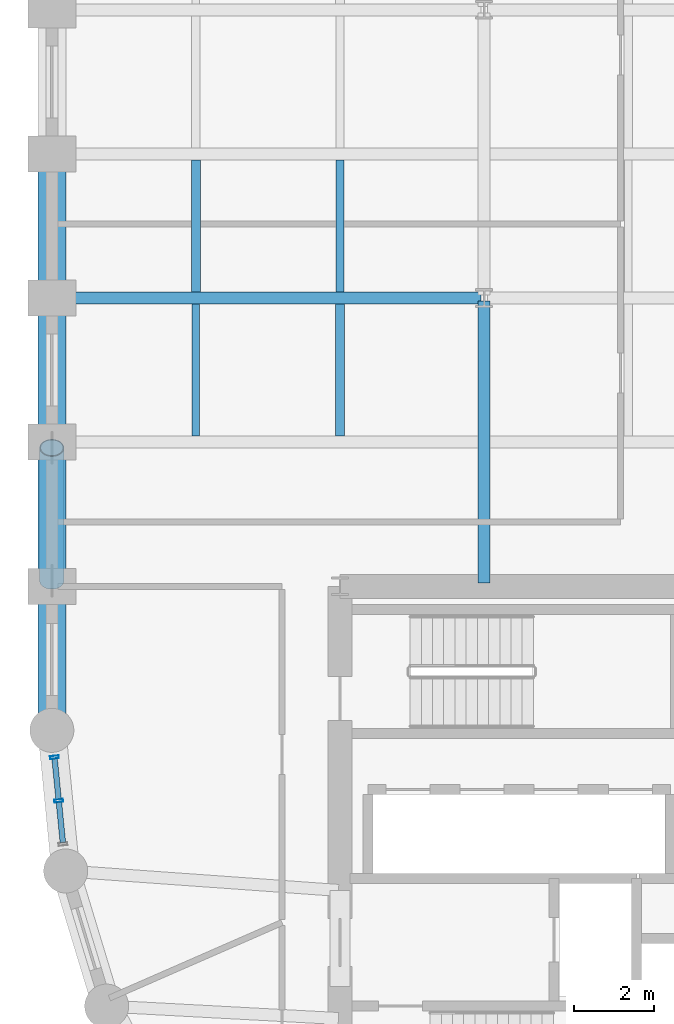
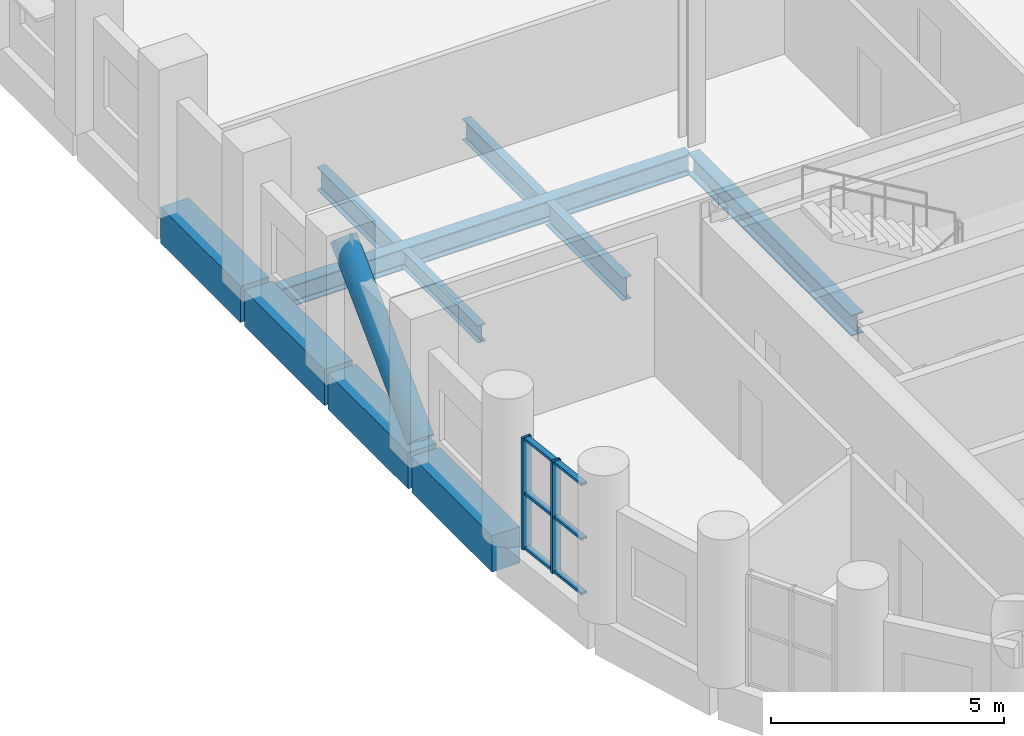
# One storey, part 5 of 13: 10 beams, 9 members, 1 element without a shape of its own.
"""IFC4 building model written with IfcOpenShell, lengths in metres."""

from ifc_helpers import new_model, si_unit, direction, frame, origin, origin_2d, place, context, subcontext, project, spatial, rectangle, hollow_rectangle, hollow_circle, i_section, extrude, material, layer, layer_set, material_profile, profile_set, type_object, element, aggregate, save


model = new_model("IFC4")

# Units and contexts
model_context = context("Model", 3, precision=1e-05, world=origin(), true_north=direction((0.0, 1.0)))
body_context = subcontext(model_context, "Body", "Model", "MODEL_VIEW")
ifc_project = project(units=[si_unit("LENGTHUNIT", "METRE"), si_unit("AREAUNIT", "SQUARE_METRE"), si_unit("VOLUMEUNIT", "CUBIC_METRE"), si_unit("PLANEANGLEUNIT", "RADIAN"), si_unit("MASSUNIT", "GRAM", prefix="KILO")], contexts=[model_context])

# Site, building, storey
site_placement = place(None, origin())
site = spatial("IfcSite", under=ifc_project, at=site_placement, CompositionType="ELEMENT")
building_placement = place(site_placement, origin())
building = spatial("IfcBuilding", under=site, at=building_placement, Name="Solnavia Interchange Tower", CompositionType="ELEMENT")
storey_placement = place(building_placement, frame((0.0, 0.0, 39.60009765625)))
storey = spatial("IfcBuildingStorey", under=building, at=storey_placement, Name="L09", CompositionType="ELEMENT", Elevation=39.60009765625)

# Beams
ifc_material_1 = material(Name="Steel S460", Category="steel")
ifc_material_profile_1 = material_profile(ifc_material_1, i_section(OverallWidth=0.300048828125, OverallDepth=0.550048828125, WebThickness=0.014892578125, FlangeThickness=0.029052734375, FilletRadius=0.027099609375, at=origin_2d()), Name="HEB 550")
ifc_profile_set_1 = profile_set([ifc_material_profile_1], Name="Steel S460")
beam_type_1 = type_object("IfcBeamType", Name="Beam-Girder-HEB550", PredefinedType="BEAM", material=ifc_profile_set_1)
beam_1_placement = place(storey_placement, frame((18.0, 25.280029296875, -0.525146484375), z_axis=(0.0, 1.0, 0.0), x_axis=(-1.0, 0.0, 0.0)))
element("IfcBeam", 1, at=beam_1_placement, inside=storey, type_object=beam_type_1, Name="GRD-L09-NS12 North wing spine girder", PredefinedType="BEAM", context=body_context, shape_type="SweptSolid", body=[
    extrude(i_section(OverallWidth=0.300048828125, OverallDepth=0.550048828125, WebThickness=0.014892578125, FlangeThickness=0.029052734375, FilletRadius=0.027099609375, at=origin_2d()), origin(), (0.0, 0.0, 1.0), 7.0400390625),
])
beam_2_placement = place(storey_placement, frame((7.280029296875, 32.39990234375, -0.525146484375), z_axis=(1.0, 0.0, 0.0), x_axis=(0.0, 1.0, 0.0)))
element("IfcBeam", 2, at=beam_2_placement, inside=storey, type_object=beam_type_1, Name="GRD-L09-NW16 North wing primary floor girder", PredefinedType="BEAM", context=body_context, shape_type="SweptSolid", body=[
    extrude(i_section(OverallWidth=0.300048828125, OverallDepth=0.550048828125, WebThickness=0.014892578125, FlangeThickness=0.029052734375, FilletRadius=0.027099609375, at=origin_2d()), origin(), (0.0, 0.0, 1.0), 10.639892578125),
])
ifc_material_2 = material(Name="Steel S355", Category="steel")
ifc_material_profile_2 = material_profile(ifc_material_2, i_section(OverallWidth=0.18994140625, OverallDepth=0.449951171875, WebThickness=0.009521484375, FlangeThickness=0.0146484375, FilletRadius=0.02099609375, at=origin_2d()), Name="IPE 450")
ifc_profile_set_2 = profile_set([ifc_material_profile_2], Name="Steel S355")
beam_type_2 = type_object("IfcBeamType", Name="Beam-Joist-IPE450", PredefinedType="JOIST", material=ifc_profile_set_2)
beam_3_placement = place(storey_placement, frame((10.800048828125, 28.949951171875, -0.47509765625), z_axis=(0.0, 1.0, 0.0), x_axis=(-1.0, 0.0, 0.0)))
element("IfcBeam", 3, at=beam_3_placement, inside=storey, type_object=beam_type_2, Name="JST-L09-N21 North wing secondary joist", PredefinedType="JOIST", context=body_context, shape_type="SweptSolid", body=[
    extrude(i_section(OverallWidth=0.18994140625, OverallDepth=0.449951171875, WebThickness=0.009521484375, FlangeThickness=0.0146484375, FilletRadius=0.02099609375, at=origin_2d()), origin(), (0.0, 0.0, 1.0), 3.300048828125),
])
ifc_material_profile_3 = material_profile(ifc_material_2, i_section(OverallWidth=0.2099609375, OverallDepth=0.550048828125, WebThickness=0.010986328125, FlangeThickness=0.01708984375, FilletRadius=0.02392578125, at=origin_2d()), Name="IPE 550")
ifc_profile_set_3 = profile_set([ifc_material_profile_3], Name="Steel S355")
beam_type_3 = type_object("IfcBeamType", Name="Beam-Joist-IPE550", PredefinedType="JOIST", material=ifc_profile_set_3)
beam_4_placement = place(storey_placement, frame((14.39990234375, 32.550048828125, -0.525146484375), z_axis=(0.0, 1.0, 0.0), x_axis=(-1.0, 0.0, 0.0)))
element("IfcBeam", 4, at=beam_4_placement, inside=storey, type_object=beam_type_3, Name="JST-L09-N26 North wing secondary joist", PredefinedType="JOIST", context=body_context, shape_type="SweptSolid", body=[
    extrude(i_section(OverallWidth=0.2099609375, OverallDepth=0.550048828125, WebThickness=0.010986328125, FlangeThickness=0.01708984375, FilletRadius=0.02392578125, at=origin_2d()), origin(), (0.0, 0.0, 1.0), 3.300048828125),
])
ifc_material_profile_4 = material_profile(ifc_material_2, i_section(OverallWidth=0.219970703125, OverallDepth=0.60009765625, WebThickness=0.011962890625, FlangeThickness=0.01904296875, FilletRadius=0.02392578125, at=origin_2d()), Name="IPE 600")
ifc_profile_set_4 = profile_set([ifc_material_profile_4], Name="Steel S355")
beam_type_4 = type_object("IfcBeamType", Name="Beam-Joist-IPE600", PredefinedType="JOIST", material=ifc_profile_set_4)
for number, where, z_axis, x_axis, name in (
    (5, (10.800048828125, 32.550048828125, -0.550048828125), (0.0, 1.0, 0.0), (-1.0, 0.0, 0.0), "JST-L09-N22 North wing secondary joist"),
    (6, (14.39990234375, 28.949951171875, -0.550048828125), (0.0, 1.0, 0.0), (-1.0, 0.0, 0.0), "JST-L09-N25 North wing secondary joist"),
):
    element("IfcBeam", number, at=place(storey_placement, frame(where, z_axis=z_axis, x_axis=x_axis)), inside=storey, type_object=beam_type_4, Name=name, PredefinedType="JOIST", context=body_context, shape_type="SweptSolid", body=[
        extrude(i_section(OverallWidth=0.219970703125, OverallDepth=0.60009765625, WebThickness=0.011962890625, FlangeThickness=0.01904296875, FilletRadius=0.02392578125, at=origin_2d()), origin(), (0.0, 0.0, 1.0), 3.300048828125),
    ])
ifc_material_3 = material(Name="Concrete C50/60", Category="concrete")
ifc_material_profile_5 = material_profile(ifc_material_3, rectangle(XDim=0.699951171875, YDim=0.949951171875, at=origin_2d()), Name="RC 700x950")
ifc_profile_set_5 = profile_set([ifc_material_profile_5], Name="Concrete C50/60")
beam_type_5 = type_object("IfcBeamType", Name="Beam-Spandrel-RC700x950", PredefinedType="SPANDREL", material=ifc_profile_set_5)
beam_5_placement = place(storey_placement, frame((7.199951171875, 35.919921875, -0.47509765625), z_axis=(0.0, -1.0, 0.0), x_axis=(1.0, 0.0, 0.0)))
element("IfcBeam", 7, at=beam_5_placement, inside=storey, type_object=beam_type_5, Name="SPB-L09-41 Framed-tube perimeter spandrel beam", PredefinedType="SPANDREL", context=body_context, shape_type="SweptSolid", body=[
    extrude(rectangle(XDim=0.699951171875, YDim=0.949951171875, at=origin_2d()), origin(), (0.0, 0.0, 1.0), 3.43994140625),
])
beam_6_placement = place(storey_placement, frame((7.199951171875, 32.320068359375, -0.47509765625), z_axis=(0.0, -1.0, 0.0), x_axis=(1.0, 0.0, 0.0)))
element("IfcBeam", 8, at=beam_6_placement, inside=storey, type_object=beam_type_5, Name="SPB-L09-42 Framed-tube perimeter spandrel beam", PredefinedType="SPANDREL", context=body_context, shape_type="SweptSolid", body=[
    extrude(rectangle(XDim=0.699951171875, YDim=0.949951171875, at=origin_2d()), origin(), (0.0, 0.0, 1.0), 3.440185546875),
])
beam_7_placement = place(storey_placement, frame((7.199951171875, 28.719970703125, -0.47509765625), z_axis=(0.0, -1.0, 0.0), x_axis=(1.0, 0.0, 0.0)))
element("IfcBeam", 9, at=beam_7_placement, inside=storey, type_object=beam_type_5, Name="SPB-L09-43 Framed-tube perimeter spandrel beam", PredefinedType="SPANDREL", context=body_context, shape_type="SweptSolid", body=[
    extrude(rectangle(XDim=0.699951171875, YDim=0.949951171875, at=origin_2d()), origin(), (0.0, 0.0, 1.0), 3.43994140625),
])
beam_8_placement = place(storey_placement, frame((7.199951171875, 25.1201171875, -0.47509765625), z_axis=(0.0, -1.0, 0.0), x_axis=(1.0, 0.0, 0.0)))
element("IfcBeam", 10, at=beam_8_placement, inside=storey, type_object=beam_type_5, Name="SPB-L09-44 Framed-tube perimeter spandrel beam", PredefinedType="SPANDREL", context=body_context, shape_type="SweptSolid", body=[
    extrude(rectangle(XDim=0.699951171875, YDim=0.949951171875, at=origin_2d()), origin(), (0.0, 0.0, 1.0), 3.440185546875),
])

# Member
ifc_material_profile_6 = material_profile(ifc_material_1, hollow_circle(Radius=0.304931640625, WallThickness=0.02490234375, at=origin_2d()), Name="CHS 610x25")
ifc_profile_set_6 = profile_set([ifc_material_profile_6], Name="Steel S460")
member_type_1 = type_object("IfcMemberType", Name="Brace-Perim-CHS610", PredefinedType="BRACE", material=ifc_profile_set_6)
member_1_placement = place(storey_placement, frame((7.199951171875, 25.340087890625, 0.179931640625), z_axis=(0.0, 0.710285911997, 0.703913292401), x_axis=(-1.0, 0.0, 0.0)))
element("IfcMember", 11, at=member_1_placement, inside=storey, type_object=member_type_1, Name="BRC-L09-02 Perimeter tube diagonal brace", PredefinedType="BRACE", context=body_context, shape_type="SweptSolid", body=[
    extrude(hollow_circle(Radius=0.304931640625, WallThickness=0.02490234375, at=origin_2d()), origin(), (0.0, 0.0, 1.0), 4.673828125),
])

# Curtain wall, members
ifc_material_4 = material(Name="Aluminium Alloy 6063-T6", Category="aluminium")
ifc_layer = layer(ifc_material_4, 0.239990234375)
ifc_layer_set = layer_set([ifc_layer], Name="Aluminium Alloy 6063-T6")
curtain_wall_type = type_object("IfcCurtainWallType", Name="CurtainWall-Drum-CTW2", PredefinedType="NOTDEFINED", material=ifc_layer_set)
curtain_wall_placement = place(storey_placement, origin())
curtain_wall = element("IfcCurtainWall", 12, at=curtain_wall_placement, inside=storey, type_object=curtain_wall_type, Name="CTW-L09-D59 CTW-2 curtain wall", PredefinedType="NOTDEFINED")
ifc_material_profile_7 = material_profile(ifc_material_4, hollow_rectangle(XDim=0.074951171875, YDim=0.219970703125, WallThickness=0.0048828125, at=origin_2d()), Name="ALU 220x75x5")
ifc_profile_set_7 = profile_set([ifc_material_profile_7], Name="Aluminium Alloy 6063-T6")
member_type_2 = type_object("IfcMemberType", Name="CW-Mullion-CWM-2", PredefinedType="MULLION", material=ifc_profile_set_7)
member_2_placement = place(storey_placement, frame((7.26611328125, 20.92822265625, 0.0), z_axis=(0.0, 0.0, 1.0), x_axis=(0.098045297616, -0.995181953019, 0.0)))
member_2 = element("IfcMember", 13, at=member_2_placement, type_object=member_type_2, Name="CTW-2 mullion 1", PredefinedType="MULLION", context=body_context, shape_type="SweptSolid", body=[
    extrude(hollow_rectangle(XDim=0.074951171875, YDim=0.219970703125, WallThickness=0.0048828125, at=origin_2d()), origin(), (0.0, 0.0, 1.0), 2.929931640625),
])
member_3_placement = place(storey_placement, frame((7.373046875, 19.843994140625, 0.0), z_axis=(0.0, 0.0, 1.0), x_axis=(0.098045297616, -0.995181953019, 0.0)))
member_3 = element("IfcMember", 14, at=member_3_placement, type_object=member_type_2, Name="CTW-2 mullion 2", PredefinedType="MULLION", context=body_context, shape_type="SweptSolid", body=[
    extrude(hollow_rectangle(XDim=0.074951171875, YDim=0.219970703125, WallThickness=0.0048828125, at=origin_2d()), origin(), (0.0, 0.0, 1.0), 2.929931640625),
])
ifc_material_profile_8 = material_profile(ifc_material_4, hollow_rectangle(XDim=0.06494140625, YDim=0.139892578125, WallThickness=0.00390625, at=origin_2d()), Name="ALU 140x65x4")
ifc_profile_set_8 = profile_set([ifc_material_profile_8], Name="Aluminium Alloy 6063-T6")
member_type_3 = type_object("IfcMemberType", Name="CW-Transom-CWT-2", PredefinedType="USERDEFINED", material=ifc_profile_set_8)
member_4_placement = place(storey_placement, frame((7.269775390625, 20.890869140625, 0.032470703125), z_axis=(0.098193057541, -0.99516738464, 0.0), x_axis=(0.0, 0.0, 1.0)))
member_4 = element("IfcMember", 15, at=member_4_placement, type_object=member_type_3, Name="CTW-2 transom 1.1", ObjectType="TRANSOM", PredefinedType="USERDEFINED", context=body_context, shape_type="SweptSolid", body=[
    extrude(hollow_rectangle(XDim=0.06494140625, YDim=0.139892578125, WallThickness=0.00390625, at=origin_2d()), origin(), (0.0, 0.0, 1.0), 1.014404296875),
])
member_5_placement = place(storey_placement, frame((7.269775390625, 20.890869140625, 1.46484375), z_axis=(0.098193057541, -0.99516738464, 0.0), x_axis=(0.0, 0.0, 1.0)))
member_5 = element("IfcMember", 16, at=member_5_placement, type_object=member_type_3, Name="CTW-2 transom 1.2", ObjectType="TRANSOM", PredefinedType="USERDEFINED", context=body_context, shape_type="SweptSolid", body=[
    extrude(hollow_rectangle(XDim=0.06494140625, YDim=0.139892578125, WallThickness=0.00390625, at=origin_2d()), origin(), (0.0, 0.0, 1.0), 1.014404296875),
])
member_6_placement = place(storey_placement, frame((7.269775390625, 20.890869140625, 2.8974609375), z_axis=(0.098193057541, -0.99516738464, 0.0), x_axis=(0.0, 0.0, 1.0)))
member_6 = element("IfcMember", 17, at=member_6_placement, type_object=member_type_3, Name="CTW-2 transom 1.3", ObjectType="TRANSOM", PredefinedType="USERDEFINED", context=body_context, shape_type="SweptSolid", body=[
    extrude(hollow_rectangle(XDim=0.06494140625, YDim=0.139892578125, WallThickness=0.00390625, at=origin_2d()), origin(), (0.0, 0.0, 1.0), 1.014404296875),
])
member_7_placement = place(storey_placement, frame((7.376708984375, 19.806640625, 0.032470703125), z_axis=(0.097954700343, -0.995190874496, 0.0), x_axis=(0.0, 0.0, 1.0)))
member_7 = element("IfcMember", 18, at=member_7_placement, type_object=member_type_3, Name="CTW-2 transom 2.1", ObjectType="TRANSOM", PredefinedType="USERDEFINED", context=body_context, shape_type="SweptSolid", body=[
    extrude(hollow_rectangle(XDim=0.06494140625, YDim=0.139892578125, WallThickness=0.00390625, at=origin_2d()), origin(), (0.0, 0.0, 1.0), 1.014404296875),
])
member_8_placement = place(storey_placement, frame((7.376708984375, 19.806640625, 1.46484375), z_axis=(0.097954700343, -0.995190874496, 0.0), x_axis=(0.0, 0.0, 1.0)))
member_8 = element("IfcMember", 19, at=member_8_placement, type_object=member_type_3, Name="CTW-2 transom 2.2", ObjectType="TRANSOM", PredefinedType="USERDEFINED", context=body_context, shape_type="SweptSolid", body=[
    extrude(hollow_rectangle(XDim=0.06494140625, YDim=0.139892578125, WallThickness=0.00390625, at=origin_2d()), origin(), (0.0, 0.0, 1.0), 1.014404296875),
])
member_9_placement = place(storey_placement, frame((7.376708984375, 19.806640625, 2.8974609375), z_axis=(0.097954700343, -0.995190874496, 0.0), x_axis=(0.0, 0.0, 1.0)))
member_9 = element("IfcMember", 20, at=member_9_placement, type_object=member_type_3, Name="CTW-2 transom 2.3", ObjectType="TRANSOM", PredefinedType="USERDEFINED", context=body_context, shape_type="SweptSolid", body=[
    extrude(hollow_rectangle(XDim=0.06494140625, YDim=0.139892578125, WallThickness=0.00390625, at=origin_2d()), origin(), (0.0, 0.0, 1.0), 1.014404296875),
])
aggregate(curtain_wall, [member_2, member_3, member_4, member_5, member_6, member_7, member_8, member_9])

save(model, "model.ifc")
